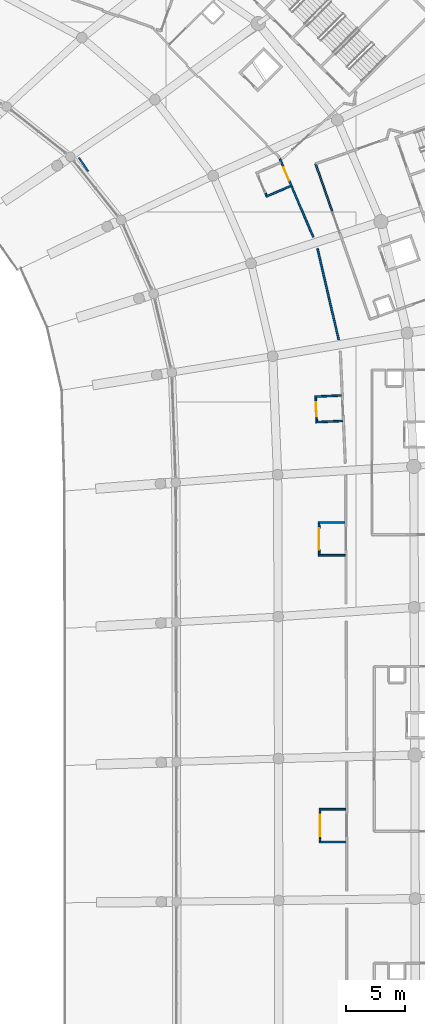
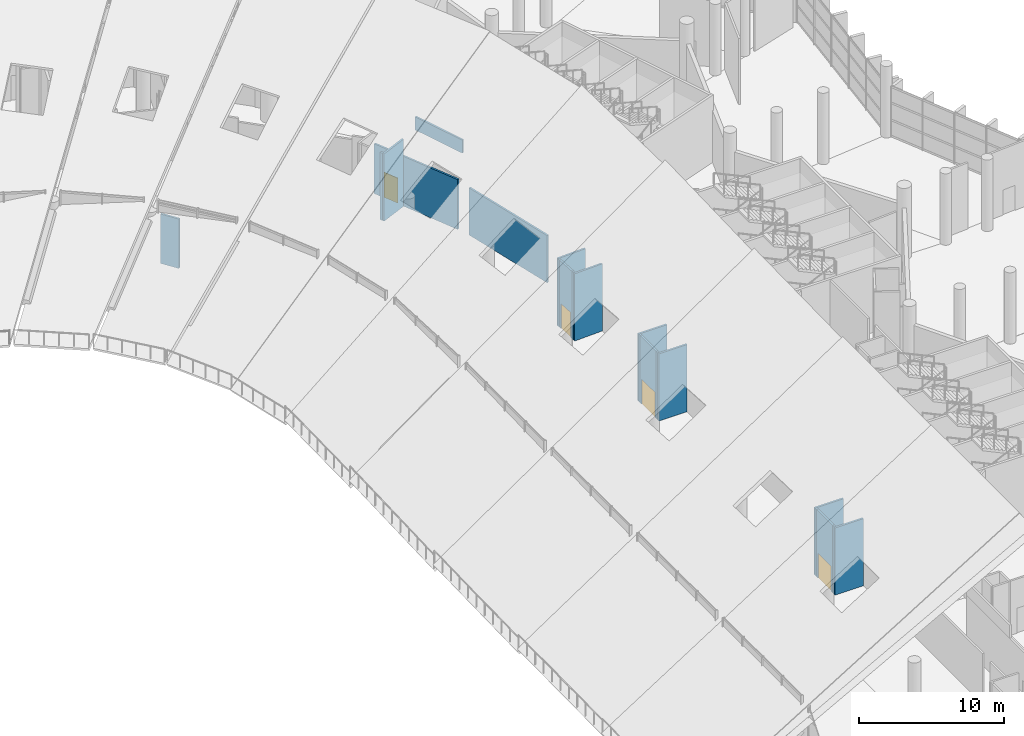
# One storey, part 168 of 249: 21 walls, 4 doors, 4 openings.
"""IFC4 building model written with IfcOpenShell, lengths in metres."""

import ifcopenshell
import ifcopenshell.guid

model = None  # the IFC model being written
_history = None  # IfcOwnerHistory: only IFC2X3 demands one
_inside = {}  # id of a spatial element -> (the spatial element, [elements in it])
_under = {}  # id of a project, library or spatial element -> (it, [spatial elements below it])
_declared = {}  # id of a project -> (the project, [libraries it declares])
_typed = {}  # id of a type object -> (the type object, [elements of that type])
_made_of = {}  # id of a material, layer set ... -> (it, [elements and type objects made of it])


def new_model(schema):
    """Start an empty IFC model of exactly this schema.

    Asked for "IFC4X3", IfcOpenShell would pick the latest addendum, in which some entities
    have other attributes; the version numbers below select the first issue.
    IFC2X3 requires an IfcOwnerHistory on every rooted entity: one is made here for all.
    """
    global model, _history
    if schema == "IFC4X3":
        model = ifcopenshell.file(schema_version=(4, 3, 0, 0))
    else:
        model = ifcopenshell.file(schema=schema)
    _inside.clear()
    _under.clear()
    _declared.clear()
    _typed.clear()
    _made_of.clear()
    _history = None
    if model.schema == "IFC2X3":
        org = make("IfcOrganization", Name="unknown")
        user = make(
            "IfcPersonAndOrganization",
            ThePerson=make("IfcPerson", FamilyName="unknown"),
            TheOrganization=org,
        )
        app = make(
            "IfcApplication",
            ApplicationDeveloper=org,
            Version="unknown",
            ApplicationFullName="unknown",
            ApplicationIdentifier="unknown",
        )
        _history = make(
            "IfcOwnerHistory",
            OwningUser=user,
            OwningApplication=app,
            ChangeAction="ADDED",
            CreationDate=0,
        )
    return model


def make(cls, **values):
    """One entity of the class cls with the attributes given. An attribute that is None is left unset."""
    return model.create_entity(
        cls, **{name: value for name, value in values.items() if value is not None}
    )


def rooted(cls, **values):
    """An entity with a GlobalId (a new one), such as an element, a storey or a relation."""
    return make(cls, GlobalId=ifcopenshell.guid.new(), OwnerHistory=_history, **values)


def si_unit(unit_type, name, prefix=None):
    """IfcSIUnit, for example si_unit("LENGTHUNIT", "METRE", prefix="MILLI")."""
    return make("IfcSIUnit", UnitType=unit_type, Prefix=prefix, Name=name)


def assignment(units):
    """IfcUnitAssignment: the units of a project."""
    return None if units is None else make("IfcUnitAssignment", Units=units)


def point(xyz):
    """IfcCartesianPoint."""
    return None if xyz is None else make("IfcCartesianPoint", Coordinates=xyz)


def direction(xyz):
    """IfcDirection."""
    return None if xyz is None else make("IfcDirection", DirectionRatios=xyz)


def frame(location, z_axis=None, x_axis=None):
    """IfcAxis2Placement3D, a coordinate frame: its origin and axes. An axis left out is left unset."""
    return make(
        "IfcAxis2Placement3D",
        Location=point(location),
        Axis=direction(z_axis),
        RefDirection=direction(x_axis),
    )


def frame_2d(location, x_axis=None):
    """IfcAxis2Placement2D, a coordinate frame in the plane: its origin and x axis."""
    return make(
        "IfcAxis2Placement2D", Location=point(location), RefDirection=direction(x_axis)
    )


def origin():
    """The frame at (0, 0, 0) with its axes left unset."""
    return frame((0.0, 0.0, 0.0))


def place(relative_to, where):
    """IfcLocalPlacement: puts the frame where relative to a parent placement (None: the world)."""
    return make(
        "IfcLocalPlacement", PlacementRelTo=relative_to, RelativePlacement=where
    )


def context(
    kind, dimensions, precision=None, world=None, true_north=None, identifier=None
):
    """IfcGeometricRepresentationContext, for example the 3D "Model" context."""
    return make(
        "IfcGeometricRepresentationContext",
        ContextIdentifier=identifier,
        ContextType=kind,
        CoordinateSpaceDimension=dimensions,
        Precision=precision,
        WorldCoordinateSystem=world,
        TrueNorth=true_north,
    )


def subcontext(parent, identifier, kind, view, scale=None):
    """IfcGeometricRepresentationSubContext, for example "Body" below "Model"."""
    return make(
        "IfcGeometricRepresentationSubContext",
        ContextIdentifier=identifier,
        ContextType=kind,
        ParentContext=parent,
        TargetScale=scale,
        TargetView=view,
    )


def project(units=None, contexts=None):
    """IfcProject with its units and contexts."""
    return rooted(
        "IfcProject",
        Name="project",
        RepresentationContexts=contexts,
        UnitsInContext=assignment(units),
    )


def spatial(cls, under=None, at=None, **own):
    """A site, building, storey or space (cls), placed at a placement, below another one or the project."""
    s = rooted(cls, ObjectPlacement=at, **own)
    if under is not None:
        _under.setdefault(under.id(), (under, []))[1].append(s)
    return s


def profile(cls, at=None, kind="AREA", **sizes):
    """A parametric profile (cls). Its sizes go by their IFC names, for example OverallWidth=200.0."""
    return make(cls, ProfileType=kind, Position=at, **sizes)


def rectangle(**sizes):
    """IfcRectangleProfileDef."""
    return profile("IfcRectangleProfileDef", **sizes)


def extrude(swept, where, along, depth):
    """IfcExtrudedAreaSolid: the profile swept, set in the frame where, extruded along a direction by depth."""
    return make(
        "IfcExtrudedAreaSolid",
        SweptArea=swept,
        Position=where,
        ExtrudedDirection=direction(along),
        Depth=depth,
    )


def shape(context_of_items, identifier, shape_type, items):
    """IfcShapeRepresentation: the items that make up one representation, for example the "Body"."""
    return make(
        "IfcShapeRepresentation",
        ContextOfItems=context_of_items,
        RepresentationIdentifier=identifier,
        RepresentationType=shape_type,
        Items=items,
    )


def material(Name=None, Category=None):
    """IfcMaterial."""
    return make("IfcMaterial", Name=Name, Category=Category)


def layer(
    of_material, thickness, ventilated=None, Name=None, Category=None, Priority=None
):
    """IfcMaterialLayer: one layer of a wall or slab, of a material (None: an air gap)."""
    return make(
        "IfcMaterialLayer",
        Material=of_material,
        LayerThickness=thickness,
        IsVentilated=ventilated,
        Name=Name,
        Category=Category,
        Priority=Priority,
    )


def layer_set(layers, Name=None):
    """IfcMaterialLayerSet."""
    return make("IfcMaterialLayerSet", MaterialLayers=layers, LayerSetName=Name)


def made_of(thing, what):
    """Note that an element or type object is made of a material, layer set ...; save() writes the relation."""
    if what is not None:
        _made_of.setdefault(what.id(), (what, []))[1].append(thing)
    return thing


def type_object(cls, material=None, **own):
    """A type object (cls), such as IfcWallType, which elements share."""
    return made_of(rooted(cls, **own), material)


def element(
    cls,
    number,
    at=None,
    inside=None,
    cuts=None,
    type_object=None,
    material=None,
    context=None,
    identifier="Body",
    shape_type=None,
    held_by="IfcProductDefinitionShape",
    body=None,
    shapes=None,
    **own,
):
    """One element of the class cls, such as IfcWall. Its Tag is "e" and its number.

    at: its placement. inside: the storey or other place that contains it. cuts: it is an
    opening in that element (IfcRelVoidsElement). A single representation is given by context,
    identifier, shape_type and body (its items); several are given by shapes. held_by: the class
    of the entity that holds the representations. save() writes the other relations.
    """
    e = rooted(cls, Tag="e%d" % number, ObjectPlacement=at, **own)
    if body is not None:
        shapes = [shape(context, identifier, shape_type, body)]
    if shapes is not None:
        e.Representation = make(held_by, Representations=shapes)
    if inside is not None:
        _inside.setdefault(inside.id(), (inside, []))[1].append(e)
    if cuts is not None:
        rooted(
            "IfcRelVoidsElement", RelatingBuildingElement=cuts, RelatedOpeningElement=e
        )
    if type_object is not None:
        _typed.setdefault(type_object.id(), (type_object, []))[1].append(e)
    return made_of(e, material)


def fill(opening, filler):
    """IfcRelFillsElement: the door or window that sits in an opening."""
    return rooted(
        "IfcRelFillsElement",
        RelatingOpeningElement=opening,
        RelatedBuildingElement=filler,
    )


def aggregate(whole, parts):
    """IfcRelAggregates: a whole, such as a stair, and the parts it consists of."""
    return rooted("IfcRelAggregates", RelatingObject=whole, RelatedObjects=parts)


def save(model, path):
    """Write the relations noted so far, then the file.

    IfcRelAggregates (storeys below a building ...), IfcRelContainedInSpatialStructure (elements
    in a storey), IfcRelDefinesByType, IfcRelAssociatesMaterial and IfcRelDeclares: one each for
    every whole, place, type object, material and project.
    """
    for whole, parts in _under.values():
        aggregate(whole, parts)
    for where, things in _inside.values():
        rooted(
            "IfcRelContainedInSpatialStructure",
            RelatedElements=things,
            RelatingStructure=where,
        )
    for kind, things in _typed.values():
        rooted("IfcRelDefinesByType", RelatedObjects=things, RelatingType=kind)
    for what, things in _made_of.values():
        rooted("IfcRelAssociatesMaterial", RelatedObjects=things, RelatingMaterial=what)
    for by, libraries in _declared.values():
        rooted("IfcRelDeclares", RelatingContext=by, RelatedDefinitions=libraries)
    model.write(path)


model = new_model("IFC4")

# Units and contexts
model_context = context("Model", 3, precision=1e-05, world=origin(), true_north=direction((0.0, 1.0)))
body_context = subcontext(model_context, "Body", "Model", "MODEL_VIEW")
ifc_project = project(units=[si_unit("LENGTHUNIT", "METRE"), si_unit("AREAUNIT", "SQUARE_METRE"), si_unit("VOLUMEUNIT", "CUBIC_METRE"), si_unit("PLANEANGLEUNIT", "RADIAN"), si_unit("MASSUNIT", "GRAM", prefix="KILO")], contexts=[model_context])

# Site, building, storey
site_placement = place(None, origin())
site = spatial("IfcSite", under=ifc_project, at=site_placement, CompositionType="ELEMENT")
building_placement = place(site_placement, origin())
building = spatial("IfcBuilding", under=site, at=building_placement, Name="Meseta Stadium", CompositionType="ELEMENT")
storey_placement = place(building_placement, frame((0.0, 0.0, 12.0)))
storey = spatial("IfcBuildingStorey", under=building, at=storey_placement, Name="L02", CompositionType="ELEMENT", Elevation=12.0)

# Walls
ifc_material_1 = material(Name="Masonry blockwork", Category="masonry")
ifc_layer = layer(ifc_material_1, 0.14990234375)
ifc_layer_set = layer_set([ifc_layer], Name="Partition 150")
wall_type = type_object("IfcWallType", Name="Partition 150", PredefinedType="PARTITIONING", material=ifc_layer_set)
wall_1_placement = place(storey_placement, frame((76.768310546875, 60.917724609375, 0.0), z_axis=(0.0, 0.0, 1.0), x_axis=(0.226944673482, -0.973907652284, 0.0)))
element("IfcWall", 1, at=wall_1_placement, inside=storey, type_object=wall_type, Name="Partition L02 L02-cell04-0-0", PredefinedType="PARTITIONING", context=body_context, shape_type="SweptSolid", body=[
    extrude(rectangle(XDim=7.882080078125, YDim=0.14990234375, at=frame_2d((3.94091796875, 0.0))), origin(), (0.0, 0.0, 1.0), 3.9619140625),
])
wall_2_placement = place(storey_placement, frame((57.444091796875, 67.427490234375, 0.0), z_axis=(0.0, 0.0, 1.0), x_axis=(-0.56118064085, 0.827693354048, 0.0)))
element("IfcWall", 2, at=wall_2_placement, inside=storey, type_object=wall_type, Name="Partition L02 L02-cell05-0-0", PredefinedType="PARTITIONING", context=body_context, shape_type="SweptSolid", body=[
    extrude(rectangle(XDim=1.39599609375, YDim=0.14990234375, at=frame_2d((0.697998046875, 0.0))), origin(), (0.0, 0.0, 1.0), 4.155517578125),
])

# Wall, opening, door
wall_3_placement = place(storey_placement, frame((73.595458984375, 68.487548828125, 0.0), z_axis=(0.0, 0.0, 1.0), x_axis=(0.392716080943, -0.919659763047, 0.0)))
wall_3 = element("IfcWall", 3, at=wall_3_placement, inside=storey, type_object=wall_type, Name="Partition L02 L02-cell05-0-0", PredefinedType="PARTITIONING", context=body_context, shape_type="SweptSolid", body=[
    extrude(rectangle(XDim=7.17724609375, YDim=0.14990234375, at=frame_2d((3.588623046875, 0.0))), origin(), (0.0, 0.0, 1.0), 4.18701171875),
])
opening_1_placement = place(wall_3_placement, frame((0.800048828125, 0.0, 0.0)))
opening_1 = element("IfcOpeningElement", 4, at=opening_1_placement, cuts=wall_3, Name="Opening D1186", PredefinedType="OPENING", context=body_context, shape_type="SweptSolid", body=[
    extrude(rectangle(XDim=1.199951171875, YDim=2.10009765625, at=frame_2d((0.60009765625, 1.050048828125))), frame((0.0, 0.0849609375, 0.0), z_axis=(0.0, -1.0, 0.0), x_axis=(1.0, 0.0, 0.0)), (0.0, 0.0, 1.0), 0.169921875),
])
ifc_material_2 = material(Name="Steel", Category="steel")
door_type_1 = type_object("IfcDoorType", Name="Fire door 1200x2100 EI2 60", OperationType="NOTDEFINED", PredefinedType="DOOR", material=ifc_material_2)
door_1_placement = place(opening_1_placement, origin())
door_1 = element("IfcDoor", 5, at=door_1_placement, inside=storey, type_object=door_type_1, Name="Room door L02 L02-cell05-0-0", OperationType="SINGLE_SWING_LEFT", OverallHeight=2.10009765625, OverallWidth=1.199951171875, PredefinedType="DOOR", context=body_context, shape_type="SweptSolid", body=[
    extrude(rectangle(XDim=1.199951171875, YDim=2.10009765625, at=frame_2d((0.60009765625, 1.050048828125))), frame((0.0, 0.02490234375, 0.0), z_axis=(0.0, -1.0, 0.0), x_axis=(1.0, 0.0, 0.0)), (0.0, 0.0, 1.0), 0.050048828125),
])
fill(opening_1, door_1)

# Walls
wall_4_placement = place(storey_placement, frame((76.605224609375, 68.067138671875, 4.550048828125), z_axis=(0.0, 0.0, 1.0), x_axis=(0.330261909448, -0.943889332055, 0.0)))
element("IfcWall", 6, at=wall_4_placement, inside=storey, type_object=wall_type, Name="Stair vestibule wall L02 core 06", PredefinedType="PARTITIONING", context=body_context, shape_type="SweptSolid", body=[
    extrude(rectangle(XDim=4.300048828125, YDim=0.14990234375, at=frame_2d((2.14990234375, 0.0))), origin(), (0.0, 0.0, 1.0), 1.099853515625),
])
for number, where, z_axis, x_axis, name in (
    (7, (79.15771484375, 13.6650390625, 0.0), (0.0, 0.0, 1.0), (-0.999999711543, -0.000759548392, 0.0), "Partition L02 L02-cell02-0-0 vestibule"),
    (8, (79.159912109375, 10.9150390625, 0.0), (0.0, 0.0, 1.0), (-0.999999711543, -0.000759548392, 0.0), "Partition L02 L02-cell02-0-0 vestibule"),
):
    element("IfcWall", number, at=place(storey_placement, frame(where, z_axis=z_axis, x_axis=x_axis)), inside=storey, type_object=wall_type, Name=name, PredefinedType="PARTITIONING", context=body_context, shape_type="SweptSolid", body=[
        extrude(rectangle(XDim=2.25, YDim=0.14990234375, at=frame_2d((1.125, 0.0))), origin(), (0.0, 0.0, 1.0), 5.64990234375),
    ])
wall_5_placement = place(storey_placement, frame((76.98291015625, 13.58837890625, 0.0), z_axis=(0.0, 0.0, 1.0), x_axis=(0.0, -1.0, 0.0)))
element("IfcWall", 9, at=wall_5_placement, inside=storey, type_object=wall_type, Name="Partition L02 L02-cell02-0-0 vestibule", PredefinedType="PARTITIONING", context=body_context, shape_type="SweptSolid", body=[
    extrude(rectangle(XDim=0.199951171875, YDim=0.14990234375, at=frame_2d((0.10009765625, 0.0))), origin(), (0.0, 0.0, 1.0), 5.64990234375),
])

# Wall, opening, door
wall_6_placement = place(storey_placement, frame((76.98291015625, 13.388427734375, 0.0), z_axis=(0.0, 0.0, 1.0), x_axis=(0.000776828087, -0.999999698269, 0.0)))
wall_6 = element("IfcWall", 10, at=wall_6_placement, inside=storey, type_object=wall_type, Name="Partition L02 L02-cell02-0-0 vestibule", PredefinedType="PARTITIONING", context=body_context, shape_type="SweptSolid", body=[
    extrude(rectangle(XDim=2.199951171875, YDim=0.14990234375, at=frame_2d((1.10009765625, 0.0))), origin(), (0.0, 0.0, 1.0), 5.64990234375),
])
opening_2_placement = place(wall_6_placement, frame((0.199951171875, 0.0, 0.0)))
opening_2 = element("IfcOpeningElement", 11, at=opening_2_placement, cuts=wall_6, Name="Opening D1196", PredefinedType="OPENING", context=body_context, shape_type="SweptSolid", body=[
    extrude(rectangle(XDim=1.800048828125, YDim=2.10009765625, at=frame_2d((0.89990234375, 1.050048828125))), frame((0.0, 0.0849609375, 0.0), z_axis=(0.0, -1.0, 0.0), x_axis=(1.0, 0.0, 0.0)), (0.0, 0.0, 1.0), 0.169921875),
])
ifc_material_3 = material(Name="Steel", Category="steel")
door_type_2 = type_object("IfcDoorType", Name="Fire double door 1800x2100 EI2 60", OperationType="DOUBLE_DOOR_SINGLE_SWING", PredefinedType="DOOR", material=ifc_material_3)
door_2_placement = place(opening_2_placement, origin())
door_2 = element("IfcDoor", 12, at=door_2_placement, inside=storey, type_object=door_type_2, Name="Vestibule door L02 L02-cell02-0-0", OperationType="DOUBLE_DOOR_SINGLE_SWING", OverallHeight=2.10009765625, OverallWidth=1.800048828125, PredefinedType="DOOR", context=body_context, shape_type="SweptSolid", body=[
    extrude(rectangle(XDim=1.800048828125, YDim=2.10009765625, at=frame_2d((0.89990234375, 1.050048828125))), frame((0.0, 0.02490234375, 0.0), z_axis=(0.0, -1.0, 0.0), x_axis=(1.0, 0.0, 0.0)), (0.0, 0.0, 1.0), 0.050048828125),
])
fill(opening_2, door_2)

# Walls
wall_7_placement = place(storey_placement, frame((76.984619140625, 11.1884765625, 0.0), z_axis=(0.0, 0.0, 1.0), x_axis=(0.001221000311, -0.999999254579, 0.0)))
element("IfcWall", 13, at=wall_7_placement, inside=storey, type_object=wall_type, Name="Partition L02 L02-cell02-0-0 vestibule", PredefinedType="PARTITIONING", context=body_context, shape_type="SweptSolid", body=[
    extrude(rectangle(XDim=0.199951171875, YDim=0.14990234375, at=frame_2d((0.10009765625, 0.0))), origin(), (0.0, 0.0, 1.0), 5.64990234375),
])
for number, where, z_axis, x_axis, name in (
    (14, (79.079833984375, 37.834716796875, 0.0), (0.0, 0.0, 1.0), (-0.999992788652, -0.003797715669, 0.0), "Partition L02 L02-cell03-0-0 vestibule"),
    (15, (79.09033203125, 35.084716796875, 0.0), (0.0, 0.0, 1.0), (-0.999992788652, -0.003797715669, 0.0), "Partition L02 L02-cell03-0-0 vestibule"),
):
    element("IfcWall", number, at=place(storey_placement, frame(where, z_axis=z_axis, x_axis=x_axis)), inside=storey, type_object=wall_type, Name=name, PredefinedType="PARTITIONING", context=body_context, shape_type="SweptSolid", body=[
        extrude(rectangle(XDim=2.25, YDim=0.14990234375, at=frame_2d((1.125, 0.0))), origin(), (0.0, 0.0, 1.0), 5.64990234375),
    ])
wall_8_placement = place(storey_placement, frame((76.905029296875, 37.75146484375, 0.0), z_axis=(0.0, 0.0, 1.0), x_axis=(0.004883946635, -0.999988073462, 0.0)))
element("IfcWall", 16, at=wall_8_placement, inside=storey, type_object=wall_type, Name="Partition L02 L02-cell03-0-0 vestibule", PredefinedType="PARTITIONING", context=body_context, shape_type="SweptSolid", body=[
    extrude(rectangle(XDim=0.199951171875, YDim=0.14990234375, at=frame_2d((0.10009765625, 0.0))), origin(), (0.0, 0.0, 1.0), 5.64990234375),
])

# Wall, opening, door
wall_9_placement = place(storey_placement, frame((76.906005859375, 37.551513671875, 0.0), z_axis=(0.0, 0.0, 1.0), x_axis=(0.003773139272, -0.999992881685, 0.0)))
wall_9 = element("IfcWall", 17, at=wall_9_placement, inside=storey, type_object=wall_type, Name="Partition L02 L02-cell03-0-0 vestibule", PredefinedType="PARTITIONING", context=body_context, shape_type="SweptSolid", body=[
    extrude(rectangle(XDim=2.199951171875, YDim=0.14990234375, at=frame_2d((1.10009765625, 0.0))), origin(), (0.0, 0.0, 1.0), 5.64990234375),
])
opening_3_placement = place(wall_9_placement, frame((0.199951171875, 0.0, 0.0)))
opening_3 = element("IfcOpeningElement", 18, at=opening_3_placement, cuts=wall_9, Name="Opening D1194", PredefinedType="OPENING", context=body_context, shape_type="SweptSolid", body=[
    extrude(rectangle(XDim=1.800048828125, YDim=2.10009765625, at=frame_2d((0.89990234375, 1.050048828125))), frame((0.0, 0.0849609375, 0.0), z_axis=(0.0, -1.0, 0.0), x_axis=(1.0, 0.0, 0.0)), (0.0, 0.0, 1.0), 0.169921875),
])
door_3_placement = place(opening_3_placement, origin())
door_3 = element("IfcDoor", 19, at=door_3_placement, inside=storey, type_object=door_type_2, Name="Vestibule door L02 L02-cell03-0-0", OperationType="DOUBLE_DOOR_SINGLE_SWING", OverallHeight=2.10009765625, OverallWidth=1.800048828125, PredefinedType="DOOR", context=body_context, shape_type="SweptSolid", body=[
    extrude(rectangle(XDim=1.800048828125, YDim=2.10009765625, at=frame_2d((0.89990234375, 1.050048828125))), frame((0.0, 0.02490234375, 0.0), z_axis=(0.0, -1.0, 0.0), x_axis=(1.0, 0.0, 0.0)), (0.0, 0.0, 1.0), 0.050048828125),
])
fill(opening_3, door_3)

# Walls
wall_10_placement = place(storey_placement, frame((76.914306640625, 35.3515625, 0.0), z_axis=(0.0, 0.0, 1.0), x_axis=(0.003662979089, -0.99999329127, 0.0)))
element("IfcWall", 20, at=wall_10_placement, inside=storey, type_object=wall_type, Name="Partition L02 L02-cell03-0-0 vestibule", PredefinedType="PARTITIONING", context=body_context, shape_type="SweptSolid", body=[
    extrude(rectangle(XDim=0.199951171875, YDim=0.14990234375, at=frame_2d((0.10009765625, 0.0))), origin(), (0.0, 0.0, 1.0), 5.64990234375),
])
for number, where, z_axis, x_axis, name in (
    (21, (78.783203125, 48.541259765625, 0.0), (0.0, 0.0, 1.0), (-0.998995432738, -0.044812111841, 0.0), "Partition L02 L02-cell04-0-0 vestibule"),
    (22, (78.87939453125, 46.393310546875, 0.0), (0.0, 0.0, 1.0), (-0.998995432738, -0.044812111841, 0.0), "Partition L02 L02-cell04-0-0 vestibule"),
):
    element("IfcWall", number, at=place(storey_placement, frame(where, z_axis=z_axis, x_axis=x_axis)), inside=storey, type_object=wall_type, Name=name, PredefinedType="PARTITIONING", context=body_context, shape_type="SweptSolid", body=[
        extrude(rectangle(XDim=2.25, YDim=0.14990234375, at=frame_2d((1.125, 0.0))), origin(), (0.0, 0.0, 1.0), 5.64990234375),
    ])
wall_11_placement = place(storey_placement, frame((76.61376953125, 48.368896484375, 0.0), z_axis=(0.0, 0.0, 1.0), x_axis=(0.04518607304, -0.99897858776, 0.0)))
element("IfcWall", 23, at=wall_11_placement, inside=storey, type_object=wall_type, Name="Partition L02 L02-cell04-0-0 vestibule", PredefinedType="PARTITIONING", context=body_context, shape_type="SweptSolid", body=[
    extrude(rectangle(XDim=0.199951171875, YDim=0.14990234375, at=frame_2d((0.10009765625, 0.0))), origin(), (0.0, 0.0, 1.0), 5.64990234375),
])

# Wall, opening, door
wall_12_placement = place(storey_placement, frame((76.622802734375, 48.169189453125, 0.0), z_axis=(0.0, 0.0, 1.0), x_axis=(0.044708572026, -0.999000071866, 0.0)))
wall_12 = element("IfcWall", 24, at=wall_12_placement, inside=storey, type_object=wall_type, Name="Partition L02 L02-cell04-0-0 vestibule", PredefinedType="PARTITIONING", context=body_context, shape_type="SweptSolid", body=[
    extrude(rectangle(XDim=1.60009765625, YDim=0.14990234375, at=frame_2d((0.800048828125, 0.0))), origin(), (0.0, 0.0, 1.0), 5.64990234375),
])
opening_4_placement = place(wall_12_placement, frame((0.199951171875, 0.0, 0.0)))
opening_4 = element("IfcOpeningElement", 25, at=opening_4_placement, cuts=wall_12, Name="Opening D1192", PredefinedType="OPENING", context=body_context, shape_type="SweptSolid", body=[
    extrude(rectangle(XDim=1.199951171875, YDim=2.10009765625, at=frame_2d((0.60009765625, 1.050048828125))), frame((0.0, 0.0849609375, 0.0), z_axis=(0.0, -1.0, 0.0), x_axis=(1.0, 0.0, 0.0)), (0.0, 0.0, 1.0), 0.169921875),
])
door_4_placement = place(opening_4_placement, origin())
door_4 = element("IfcDoor", 26, at=door_4_placement, inside=storey, type_object=door_type_1, Name="Vestibule door L02 L02-cell04-0-0", OperationType="SINGLE_SWING_LEFT", OverallHeight=2.10009765625, OverallWidth=1.199951171875, PredefinedType="DOOR", context=body_context, shape_type="SweptSolid", body=[
    extrude(rectangle(XDim=1.199951171875, YDim=2.10009765625, at=frame_2d((0.60009765625, 1.050048828125))), frame((0.0, 0.02490234375, 0.0), z_axis=(0.0, -1.0, 0.0), x_axis=(1.0, 0.0, 0.0)), (0.0, 0.0, 1.0), 0.050048828125),
])
fill(opening_4, door_4)

# Walls
wall_13_placement = place(storey_placement, frame((76.6943359375, 46.57080078125, 0.0), z_axis=(0.0, 0.0, 1.0), x_axis=(0.043913640913, -0.999035330778, 0.0)))
element("IfcWall", 27, at=wall_13_placement, inside=storey, type_object=wall_type, Name="Partition L02 L02-cell04-0-0 vestibule", PredefinedType="PARTITIONING", context=body_context, shape_type="SweptSolid", body=[
    extrude(rectangle(XDim=0.2001953125, YDim=0.14990234375, at=frame_2d((0.10009765625, 0.0))), origin(), (0.0, 0.0, 1.0), 5.64990234375),
])
wall_14_placement = place(storey_placement, frame((74.498291015625, 66.181884765625, 0.0), z_axis=(0.0, 0.0, 1.0), x_axis=(-0.919660619765, -0.392714074682, 0.0)))
element("IfcWall", 28, at=wall_14_placement, inside=storey, type_object=wall_type, Name="Partition L02 L02-cell05-0-0 vestibule", PredefinedType="PARTITIONING", context=body_context, shape_type="SweptSolid", body=[
    extrude(rectangle(XDim=2.249755859375, YDim=0.14990234375, at=frame_2d((1.125, 0.0))), origin(), (0.0, 0.0, 1.0), 5.64990234375),
])
wall_15_placement = place(storey_placement, frame((72.39013671875, 65.58056640625, 0.0), z_axis=(0.0, 0.0, 1.0), x_axis=(0.393182323567, -0.91946052685, 0.0)))
element("IfcWall", 29, at=wall_15_placement, inside=storey, type_object=wall_type, Name="Partition L02 L02-cell05-0-0 vestibule", PredefinedType="PARTITIONING", context=body_context, shape_type="SweptSolid", body=[
    extrude(rectangle(XDim=0.199951171875, YDim=0.14990234375, at=frame_2d((0.10009765625, 0.0))), origin(), (0.0, 0.0, 1.0), 5.64990234375),
])

save(model, "model.ifc")
